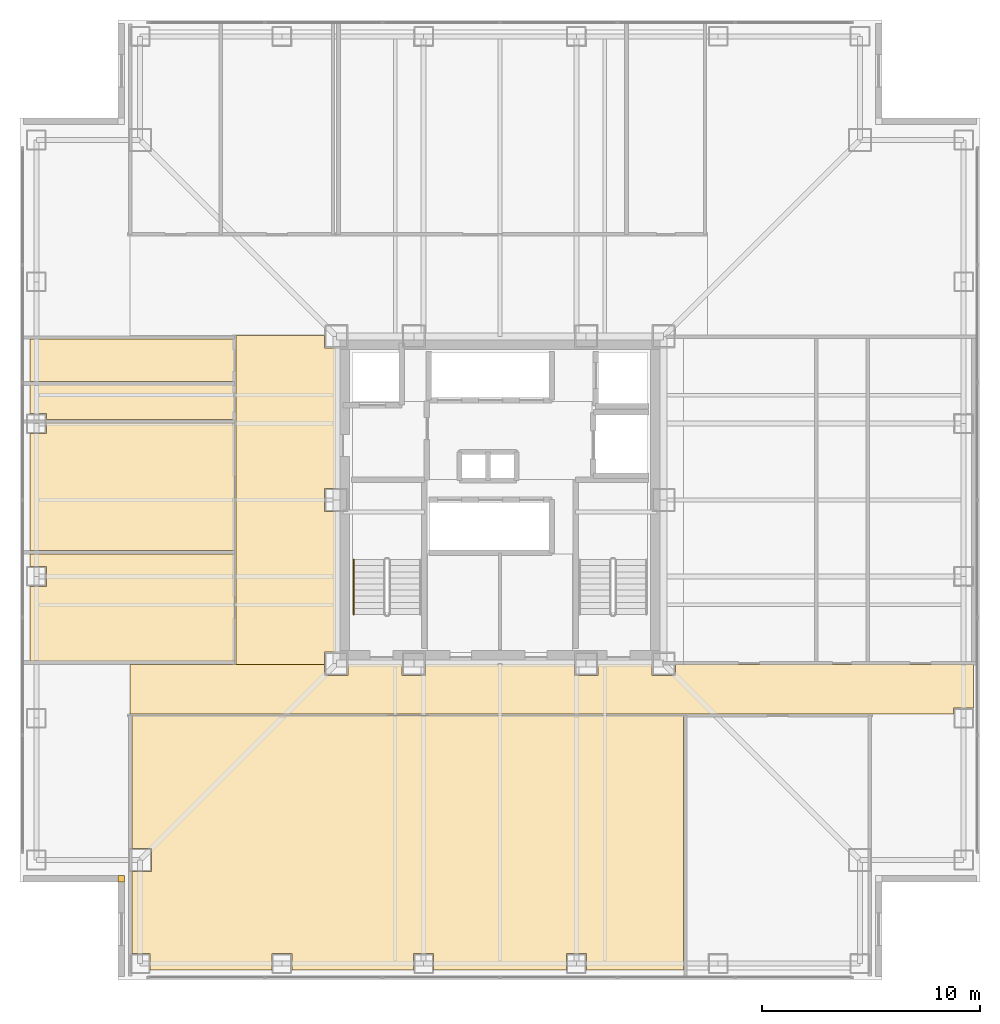
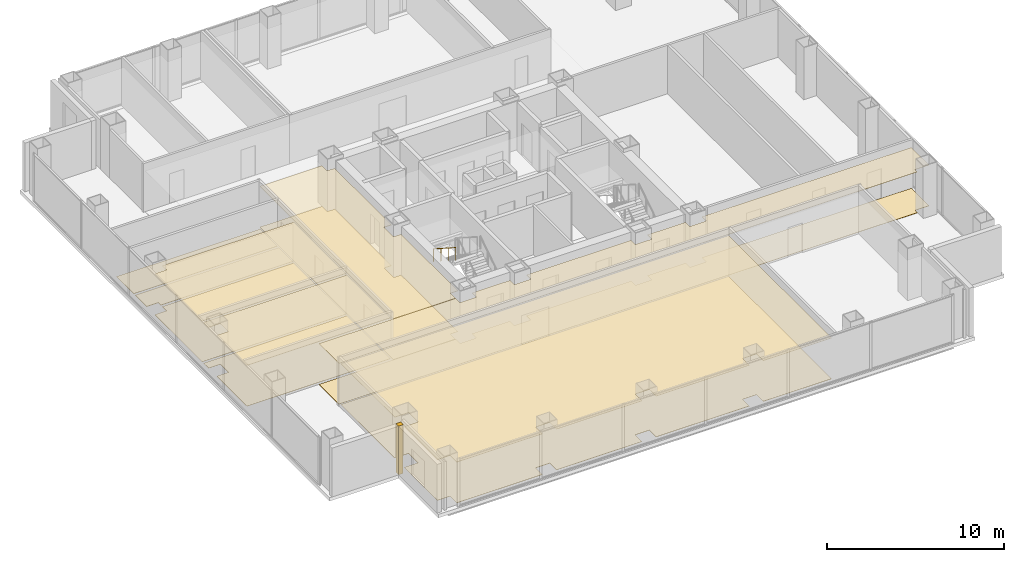
# One storey, part 12 of 14: 13 coverings, 1 railing.
"""IFC4 building model written with IfcOpenShell, lengths in metres."""

from ifc_helpers import new_model, si_unit, direction, frame, origin, origin_2d, place, context, subcontext, project, spatial, polyline, circle, outline, extrude, material, layer, layer_set, type_object, element, save


model = new_model("IFC4")

# Units and contexts
model_context = context("Model", 3, precision=1e-05, world=origin(), true_north=direction((0.0, 1.0)))
body_context = subcontext(model_context, "Body", "Model", "MODEL_VIEW")
ifc_project = project(units=[si_unit("LENGTHUNIT", "METRE"), si_unit("AREAUNIT", "SQUARE_METRE"), si_unit("VOLUMEUNIT", "CUBIC_METRE"), si_unit("PLANEANGLEUNIT", "RADIAN"), si_unit("MASSUNIT", "GRAM", prefix="KILO")], contexts=[model_context])

# Site, building, storey
site_placement = place(None, origin())
site = spatial("IfcSite", under=ifc_project, at=site_placement, CompositionType="ELEMENT")
building_placement = place(site_placement, origin())
building = spatial("IfcBuilding", under=site, at=building_placement, Name="Trevonay Congress Spire", CompositionType="ELEMENT")
storey_placement = place(building_placement, frame((0.0, 0.0, 140.800048828125)))
storey = spatial("IfcBuildingStorey", under=building, at=storey_placement, Name="L36", CompositionType="ELEMENT", Elevation=140.800048828125)

# Coverings
ifc_material_1 = material(Name="Acoustic Mineral Fibre Board", Category="gypsum")
ifc_layer_1 = layer(ifc_material_1, 0.02490234375, Name="Acoustic Mineral Fibre Board")
ifc_layer_set_1 = layer_set([ifc_layer_1], Name="Acoustic Mineral Fibre Board")
covering_type_1 = type_object("IfcCoveringType", Name="COV-CEIL-ACOUSTIC", PredefinedType="CEILING", material=ifc_layer_set_1)
covering_1_placement = place(storey_placement, frame((0.0, 0.0, 2.81005859375)))
element("IfcCovering", 1, at=covering_1_placement, inside=storey, type_object=covering_type_1, Name="L36 Congress South Spine Corridor acoustic suspended ceiling", PredefinedType="CEILING", context=body_context, shape_type="SweptSolid", body=[
    extrude(outline(polyline([(-16.949951171875, -9.800048828125), (-16.949951171875, -7.550048828125), (-8.034912109375, -7.550048828125), (-8.034912109375, -8.034912109375), (-6.965087890625, -8.034912109375), (-6.965087890625, -7.550048828125), (-4.485107421875, -7.550048828125), (-4.485107421875, -8.034912109375), (-3.4150390625, -8.034912109375), (-3.4150390625, -7.550048828125), (3.4150390625, -7.550048828125), (3.4150390625, -8.034912109375), (4.485107421875, -8.034912109375), (4.485107421875, -7.550048828125), (6.965087890625, -7.550048828125), (6.965087890625, -8.034912109375), (8.034912109375, -8.034912109375), (8.034912109375, -7.550048828125), (21.699951171875, -7.550048828125), (21.699951171875, -9.5400390625), (20.7900390625, -9.5400390625), (20.7900390625, -9.800048828125), (-16.949951171875, -9.800048828125)])), origin(), (0.0, 0.0, 1.0), 0.02490234375),
])
covering_2_placement = place(storey_placement, frame((0.0, 0.0, 2.81005859375)))
element("IfcCovering", 2, at=covering_2_placement, inside=storey, type_object=covering_type_1, Name="L36 West Sky Promenade Salon acoustic suspended ceiling", PredefinedType="CEILING", context=body_context, shape_type="SweptSolid", body=[
    extrude(outline(polyline([(-12.10009765625, 7.550048828125), (-8.034912109375, 7.550048828125), (-8.034912109375, 6.965087890625), (-7.550048828125, 6.965087890625), (-7.550048828125, 0.534912109375), (-8.034912109375, 0.534912109375), (-8.034912109375, -0.534912109375), (-7.550048828125, -0.534912109375), (-7.550048828125, -6.965087890625), (-8.034912109375, -6.965087890625), (-8.034912109375, -7.5400390625), (-12.10009765625, -7.5400390625), (-12.10009765625, 7.550048828125)])), origin(), (0.0, 0.0, 1.0), 0.02490234375),
])
covering_3_placement = place(storey_placement, frame((0.0, 0.0, 2.81005859375)))
element("IfcCovering", 3, at=covering_3_placement, inside=storey, type_object=covering_type_1, Name="L36 Thematic Poster Exhibition Gallery A acoustic suspended ceiling", PredefinedType="CEILING", context=body_context, shape_type="SweptSolid", body=[
    extrude(outline(polyline([(-16.0400390625, -21.550048828125), (-16.0400390625, -20.7900390625), (-16.8701171875, -20.7900390625), (-16.8701171875, -17.034912109375), (-15.965087890625, -17.034912109375), (-15.965087890625, -15.965087890625), (-16.8701171875, -15.965087890625), (-16.8701171875, -9.8798828125), (8.419921875, -9.8798828125), (8.419921875, -21.550048828125), (3.9599609375, -21.550048828125), (3.9599609375, -20.7900390625), (3.0400390625, -20.7900390625), (3.0400390625, -21.550048828125), (-3.0400390625, -21.550048828125), (-3.0400390625, -20.7900390625), (-3.9599609375, -20.7900390625), (-3.9599609375, -21.550048828125), (-9.5400390625, -21.550048828125), (-9.5400390625, -20.7900390625), (-10.4599609375, -20.7900390625), (-10.4599609375, -21.550048828125), (-16.0400390625, -21.550048828125)])), origin(), (0.0, 0.0, 1.0), 0.02490234375),
])
covering_4_placement = place(storey_placement, frame((0.0, 0.0, 2.81005859375)))
element("IfcCovering", 4, at=covering_4_placement, inside=storey, type_object=covering_type_1, Name="L36 Television Broadcast Studio acoustic suspended ceiling", PredefinedType="CEILING", context=body_context, shape_type="SweptSolid", body=[
    extrude(outline(polyline([(-21.550048828125, -2.47998046875), (-12.179931640625, -2.47998046875), (-12.179931640625, -7.3701171875), (-21.550048828125, -7.3701171875), (-21.550048828125, -3.9599609375), (-20.7900390625, -3.9599609375), (-20.7900390625, -3.0400390625), (-21.550048828125, -3.0400390625), (-21.550048828125, -2.47998046875)])), origin(), (0.0, 0.0, 1.0), 0.02490234375),
])
covering_5_placement = place(storey_placement, frame((0.0, 0.0, 2.81005859375)))
element("IfcCovering", 5, at=covering_5_placement, inside=storey, type_object=covering_type_1, Name="L36 Broadcast Control Office acoustic suspended ceiling", PredefinedType="CEILING", context=body_context, shape_type="SweptSolid", body=[
    extrude(outline(polyline([(-12.179931640625, 3.52001953125), (-12.179931640625, -2.320068359375), (-21.550048828125, -2.320068359375), (-21.550048828125, 3.0400390625), (-20.7900390625, 3.0400390625), (-20.7900390625, 3.52001953125), (-12.179931640625, 3.52001953125)])), origin(), (0.0, 0.0, 1.0), 0.02490234375),
])
ifc_material_2 = material(Name="Polished Granite Floor Tile", Category="masonry")
ifc_layer_2 = layer(ifc_material_2, 0.02001953125, Name="Polished Granite Floor Tile")
ifc_layer_set_2 = layer_set([ifc_layer_2], Name="Polished Granite Floor Tile")
covering_type_2 = type_object("IfcCoveringType", Name="COV-FLOOR-STONE", PredefinedType="FLOORING", material=ifc_layer_set_2)
covering_6_placement = place(storey_placement, origin())
element("IfcCovering", 6, at=covering_6_placement, inside=storey, type_object=covering_type_2, Name="L36 Congress South Spine Corridor floor finish", PredefinedType="FLOORING", context=body_context, shape_type="SweptSolid", body=[
    extrude(outline(polyline([(-16.949951171875, -9.800048828125), (-16.949951171875, -7.550048828125), (-8.034912109375, -7.550048828125), (-8.034912109375, -8.034912109375), (-6.965087890625, -8.034912109375), (-6.965087890625, -7.550048828125), (-4.485107421875, -7.550048828125), (-4.485107421875, -8.034912109375), (-3.4150390625, -8.034912109375), (-3.4150390625, -7.550048828125), (3.4150390625, -7.550048828125), (3.4150390625, -8.034912109375), (4.485107421875, -8.034912109375), (4.485107421875, -7.550048828125), (6.965087890625, -7.550048828125), (6.965087890625, -8.034912109375), (8.034912109375, -8.034912109375), (8.034912109375, -7.550048828125), (21.699951171875, -7.550048828125), (21.699951171875, -9.5400390625), (20.7900390625, -9.5400390625), (20.7900390625, -9.800048828125), (-16.949951171875, -9.800048828125)])), origin(), (0.0, 0.0, 1.0), 0.02001953125),
])
covering_7_placement = place(storey_placement, origin())
element("IfcCovering", 7, at=covering_7_placement, inside=storey, type_object=covering_type_2, Name="L36 Accessible WC floor finish", PredefinedType="FLOORING", context=body_context, shape_type="SweptSolid", body=[
    extrude(outline(polyline([(-21.550048828125, 5.260009765625), (-12.179931640625, 5.260009765625), (-12.179931640625, 3.679931640625), (-20.7900390625, 3.679931640625), (-20.7900390625, 3.9599609375), (-21.550048828125, 3.9599609375), (-21.550048828125, 5.260009765625)])), origin(), (0.0, 0.0, 1.0), 0.02001953125),
])
covering_8_placement = place(storey_placement, origin())
element("IfcCovering", 8, at=covering_8_placement, inside=storey, type_object=covering_type_2, Name="L36 Floor Supplies and Copy Room floor finish", PredefinedType="FLOORING", context=body_context, shape_type="SweptSolid", body=[
    extrude(outline(polyline([(-21.550048828125, 5.419921875), (-12.179931640625, 5.419921875), (-12.179931640625, 7.3701171875), (-21.550048828125, 7.3701171875), (-21.550048828125, 5.419921875)])), origin(), (0.0, 0.0, 1.0), 0.02001953125),
])
ifc_material_3 = material(Name="Engineered Oak Flooring", Category="wood")
ifc_layer_3 = layer(ifc_material_3, 0.01806640625, Name="Engineered Oak Flooring")
ifc_layer_set_3 = layer_set([ifc_layer_3], Name="Engineered Oak Flooring")
covering_type_3 = type_object("IfcCoveringType", Name="COV-FLOOR-TIMBER", PredefinedType="FLOORING", material=ifc_layer_set_3)
covering_9_placement = place(storey_placement, origin())
element("IfcCovering", 9, at=covering_9_placement, inside=storey, type_object=covering_type_3, Name="L36 West Sky Promenade Salon floor finish", PredefinedType="FLOORING", context=body_context, shape_type="SweptSolid", body=[
    extrude(outline(polyline([(-12.10009765625, 7.550048828125), (-8.034912109375, 7.550048828125), (-8.034912109375, 6.965087890625), (-7.550048828125, 6.965087890625), (-7.550048828125, 0.534912109375), (-8.034912109375, 0.534912109375), (-8.034912109375, -0.534912109375), (-7.550048828125, -0.534912109375), (-7.550048828125, -6.965087890625), (-8.034912109375, -6.965087890625), (-8.034912109375, -7.5400390625), (-12.10009765625, -7.5400390625), (-12.10009765625, 7.550048828125)])), origin(), (0.0, 0.0, 1.0), 0.01806640625),
])
covering_10_placement = place(storey_placement, origin())
element("IfcCovering", 10, at=covering_10_placement, inside=storey, type_object=covering_type_3, Name="L36 Thematic Poster Exhibition Gallery A floor finish", PredefinedType="FLOORING", context=body_context, shape_type="SweptSolid", body=[
    extrude(outline(polyline([(-16.0400390625, -21.550048828125), (-16.0400390625, -20.7900390625), (-16.8701171875, -20.7900390625), (-16.8701171875, -17.034912109375), (-15.965087890625, -17.034912109375), (-15.965087890625, -15.965087890625), (-16.8701171875, -15.965087890625), (-16.8701171875, -9.8798828125), (8.419921875, -9.8798828125), (8.419921875, -21.550048828125), (3.9599609375, -21.550048828125), (3.9599609375, -20.7900390625), (3.0400390625, -20.7900390625), (3.0400390625, -21.550048828125), (-3.0400390625, -21.550048828125), (-3.0400390625, -20.7900390625), (-3.9599609375, -20.7900390625), (-3.9599609375, -21.550048828125), (-9.5400390625, -21.550048828125), (-9.5400390625, -20.7900390625), (-10.4599609375, -20.7900390625), (-10.4599609375, -21.550048828125), (-16.0400390625, -21.550048828125)])), origin(), (0.0, 0.0, 1.0), 0.01806640625),
])
covering_11_placement = place(storey_placement, origin())
element("IfcCovering", 11, at=covering_11_placement, inside=storey, type_object=covering_type_3, Name="L36 Television Broadcast Studio floor finish", PredefinedType="FLOORING", context=body_context, shape_type="SweptSolid", body=[
    extrude(outline(polyline([(-21.550048828125, -2.47998046875), (-12.179931640625, -2.47998046875), (-12.179931640625, -7.3701171875), (-21.550048828125, -7.3701171875), (-21.550048828125, -3.9599609375), (-20.7900390625, -3.9599609375), (-20.7900390625, -3.0400390625), (-21.550048828125, -3.0400390625), (-21.550048828125, -2.47998046875)])), origin(), (0.0, 0.0, 1.0), 0.01806640625),
])
covering_12_placement = place(storey_placement, origin())
element("IfcCovering", 12, at=covering_12_placement, inside=storey, type_object=covering_type_3, Name="L36 Broadcast Control Office floor finish", PredefinedType="FLOORING", context=body_context, shape_type="SweptSolid", body=[
    extrude(outline(polyline([(-12.179931640625, 3.52001953125), (-12.179931640625, -2.320068359375), (-21.550048828125, -2.320068359375), (-21.550048828125, 3.0400390625), (-20.7900390625, 3.0400390625), (-20.7900390625, 3.52001953125), (-12.179931640625, 3.52001953125)])), origin(), (0.0, 0.0, 1.0), 0.01806640625),
])
ifc_material_4 = material(Name="Pale Anodised Aluminium EN AW-6063-T6", Category="aluminium")
ifc_layer_4 = layer(ifc_material_4, 0.0400390625, Name="Pale Anodised Aluminium EN AW-6063-T6")
ifc_layer_set_4 = layer_set([ifc_layer_4], Name="Pale Anodised Aluminium EN AW-6063-T6")
covering_type_4 = type_object("IfcCoveringType", Name="COV-SPANDREL-PALE-METAL", PredefinedType="CLADDING", material=ifc_layer_set_4)
covering_13_placement = place(storey_placement, origin())
element("IfcCovering", 13, at=covering_13_placement, inside=storey, type_object=covering_type_4, Name="L36 SW re-entrant notch corner closure trim", PredefinedType="CLADDING", context=body_context, shape_type="SweptSolid", body=[
    extrude(outline(polyline([(-17.5, -17.5), (-17.199951171875, -17.5), (-17.199951171875, -17.199951171875), (-17.5, -17.199951171875), (-17.5, -17.5)])), origin(), (0.0, 0.0, 1.0), 3.35986328125),
])

# Railing
railing_type = type_object("IfcRailingType", Name="RAL-STAIR-HANDRAIL", PredefinedType="HANDRAIL", material=ifc_material_4)
railing_placement = place(storey_placement, frame((-6.699951171875, -2.72998046875, 1.97998046875)))
element("IfcRailing", 14, at=railing_placement, inside=storey, type_object=railing_type, Name="L36 ST-1 stair handrail 2", PredefinedType="HANDRAIL", context=body_context, shape_type="SweptSolid", body=[
    extrude(circle(Radius=0.02392578125, at=origin_2d()), frame((0.0, 0.0, 0.8759765625), z_axis=(0.0, -0.841199657755, 0.540724639528), x_axis=(1.0, 0.0, 0.0)), (0.0, 0.0, 1.0), 2.995849609375),
    extrude(circle(Radius=0.02099609375, at=origin_2d()), origin(), (0.0, 0.0, 1.0), 0.851806640625),
    extrude(circle(Radius=0.02099609375, at=origin_2d()), frame((0.0, -0.840087890625, 0.5400390625)), (0.0, 0.0, 1.0), 0.851806640625),
    extrude(circle(Radius=0.02099609375, at=origin_2d()), frame((0.0, -1.679931640625, 1.079833984375)), (0.0, 0.0, 1.0), 0.851806640625),
    extrude(circle(Radius=0.02099609375, at=origin_2d()), frame((0.0, -2.52001953125, 1.619873046875)), (0.0, 0.0, 1.0), 0.851806640625),
])

save(model, "model.ifc")
